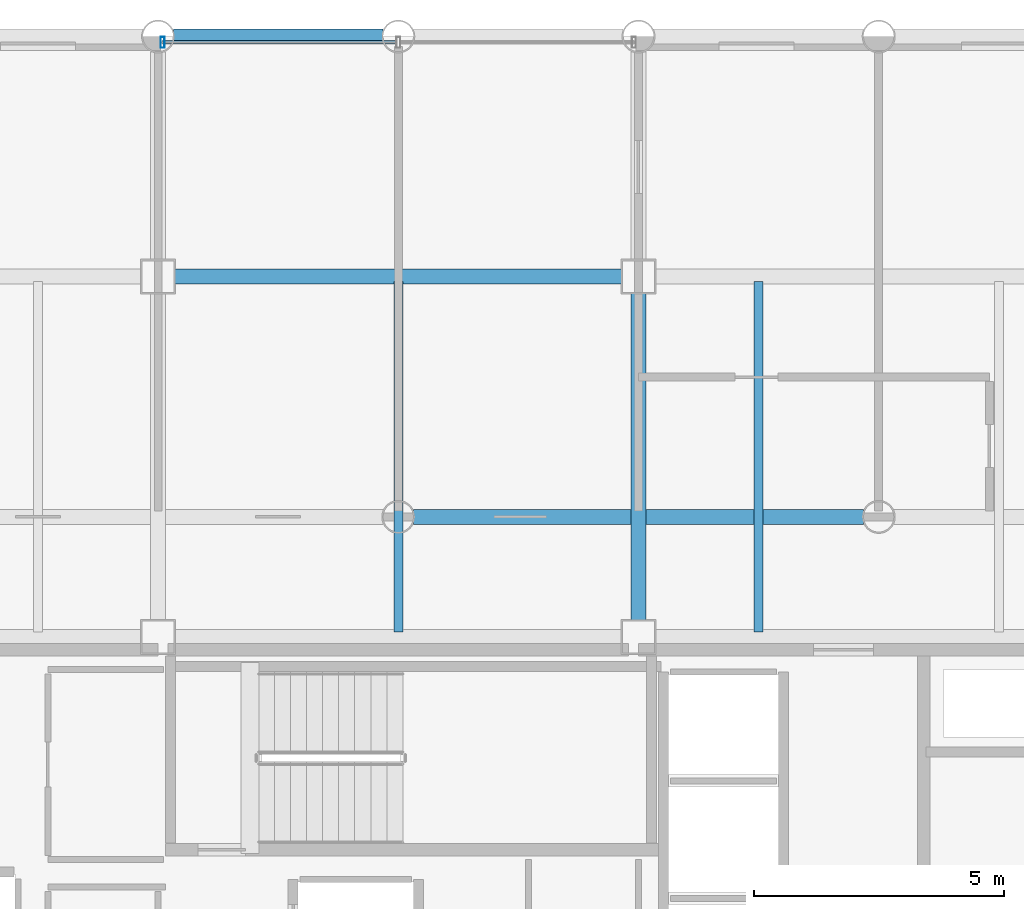
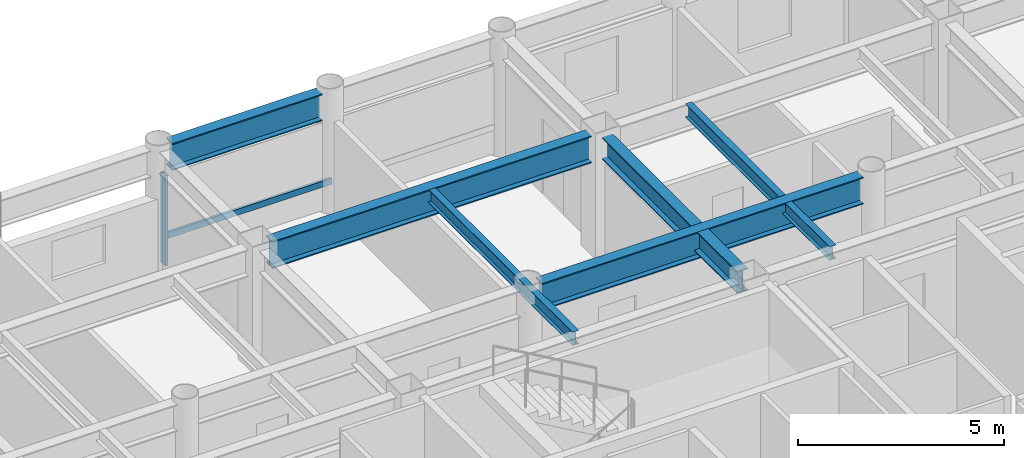
# One storey, part 11 of 20: 6 beams, 2 members, 1 element without a shape of its own.
"""IFC4 building model written with IfcOpenShell, lengths in metres."""

from ifc_helpers import new_model, si_unit, direction, frame, origin, origin_2d, place, context, subcontext, project, spatial, hollow_rectangle, i_section, extrude, material, layer, layer_set, material_profile, profile_set, type_object, element, aggregate, save


model = new_model("IFC4")

# Units and contexts
model_context = context("Model", 3, precision=1e-05, world=origin(), true_north=direction((0.0, 1.0)))
body_context = subcontext(model_context, "Body", "Model", "MODEL_VIEW")
ifc_project = project(units=[si_unit("LENGTHUNIT", "METRE"), si_unit("AREAUNIT", "SQUARE_METRE"), si_unit("VOLUMEUNIT", "CUBIC_METRE"), si_unit("PLANEANGLEUNIT", "RADIAN"), si_unit("MASSUNIT", "GRAM", prefix="KILO")], contexts=[model_context])

# Site, building, storey
site_placement = place(None, origin())
site = spatial("IfcSite", under=ifc_project, at=site_placement, CompositionType="ELEMENT")
building_placement = place(site_placement, origin())
building = spatial("IfcBuilding", under=site, at=building_placement, Name="Kallvorn Hotel Tower", CompositionType="ELEMENT")
storey_placement = place(building_placement, frame((0.0, 0.0, 158.10009765625)))
storey = spatial("IfcBuildingStorey", under=building, at=storey_placement, Name="L39", CompositionType="ELEMENT", Elevation=158.10009765625)

# Beams
ifc_material_1 = material(Name="Structural steel S355JR", Category="steel")
ifc_material_profile_1 = material_profile(ifc_material_1, i_section(OverallWidth=0.300048828125, OverallDepth=0.64990234375, WebThickness=0.01611328125, FlangeThickness=0.031005859375, at=origin_2d()), Name="HE 650 B")
ifc_profile_set_1 = profile_set([ifc_material_profile_1], Name="Structural steel S355JR")
beam_type_1 = type_object("IfcBeamType", Name="BM_HE650B", PredefinedType="BEAM", material=ifc_profile_set_1)
beam_1_placement = place(storey_placement, frame((4.800048828125, 7.52490234375, 3.19482421875), z_axis=(0.0, 1.0, 0.0), x_axis=(-1.0, 0.0, 0.0)))
element("IfcBeam", 1, at=beam_1_placement, inside=storey, type_object=beam_type_1, Name="L40 Primary Y-Girder 117", PredefinedType="BEAM", context=body_context, shape_type="SweptSolid", body=[
    extrude(i_section(OverallWidth=0.300048828125, OverallDepth=0.64990234375, WebThickness=0.01611328125, FlangeThickness=0.031005859375, at=origin_2d()), origin(), (0.0, 0.0, 1.0), 6.550048828125),
])
ifc_material_2 = material(Name="Structural steel S355JR", Category="steel")
ifc_material_profile_2 = material_profile(ifc_material_2, i_section(OverallWidth=0.300048828125, OverallDepth=0.800048828125, WebThickness=0.017578125, FlangeThickness=0.032958984375, at=origin_2d()), Name="HE 800 B")
ifc_profile_set_2 = profile_set([ifc_material_profile_2], Name="Structural steel S355JR")
beam_type_2 = type_object("IfcBeamType", Name="BM_HE800B", PredefinedType="BEAM", material=ifc_profile_set_2)
beam_2_placement = place(storey_placement, frame((0.304931640625, 9.60009765625, 3.119873046875), z_axis=(1.0, 0.0, 0.0), x_axis=(0.0, 1.0, 0.0)))
element("IfcBeam", 2, at=beam_2_placement, inside=storey, type_object=beam_type_2, Name="L40 Primary X-Girder 47", PredefinedType="BEAM", context=body_context, shape_type="SweptSolid", body=[
    extrude(i_section(OverallWidth=0.300048828125, OverallDepth=0.800048828125, WebThickness=0.017578125, FlangeThickness=0.032958984375, at=origin_2d()), origin(), (0.0, 0.0, 1.0), 8.989990234375),
])
beam_3_placement = place(storey_placement, frame((-4.47509765625, 14.39990234375, 3.119873046875), z_axis=(1.0, 0.0, 0.0), x_axis=(0.0, 1.0, 0.0)))
element("IfcBeam", 3, at=beam_3_placement, inside=storey, type_object=beam_type_2, Name="L40 Primary X-Girder 56", PredefinedType="BEAM", context=body_context, shape_type="SweptSolid", body=[
    extrude(i_section(OverallWidth=0.300048828125, OverallDepth=0.800048828125, WebThickness=0.017578125, FlangeThickness=0.032958984375, at=origin_2d()), origin(), (0.0, 0.0, 1.0), 8.9501953125),
])
beam_4_placement = place(storey_placement, frame((-4.4951171875, 19.199951171875, 3.119873046875), z_axis=(1.0, 0.0, 0.0), x_axis=(0.0, 1.0, 0.0)))
element("IfcBeam", 4, at=beam_4_placement, inside=storey, type_object=beam_type_2, Name="L40 Primary X-Girder 66", PredefinedType="BEAM", context=body_context, shape_type="SweptSolid", body=[
    extrude(i_section(OverallWidth=0.300048828125, OverallDepth=0.800048828125, WebThickness=0.017578125, FlangeThickness=0.032958984375, at=origin_2d()), origin(), (0.0, 0.0, 1.0), 4.190185546875),
])
ifc_material_3 = material(Name="Structural steel S355JR", Category="steel")
ifc_material_profile_3 = material_profile(ifc_material_3, i_section(OverallWidth=0.179931640625, OverallDepth=0.39990234375, WebThickness=0.008544921875, FlangeThickness=0.013427734375, at=origin_2d()), Name="IPE 400")
ifc_profile_set_3 = profile_set([ifc_material_profile_3], Name="Structural steel S355JR")
beam_type_3 = type_object("IfcBeamType", Name="BM_IPE400", PredefinedType="JOIST", material=ifc_profile_set_3)
for number, where, z_axis, x_axis, name in (
    (5, (0.0, 7.300048828125, 3.31982421875), (0.0, 1.0, 0.0), (-1.0, 0.0, 0.0), "L40 Secondary Composite Joist 201"),
    (6, (7.199951171875, 7.300048828125, 3.31982421875), (0.0, 1.0, 0.0), (-1.0, 0.0, 0.0), "L40 Secondary Composite Joist 203"),
):
    element("IfcBeam", number, at=place(storey_placement, frame(where, z_axis=z_axis, x_axis=x_axis)), inside=storey, type_object=beam_type_3, Name=name, PredefinedType="JOIST", context=body_context, shape_type="SweptSolid", body=[
        extrude(i_section(OverallWidth=0.179931640625, OverallDepth=0.39990234375, WebThickness=0.008544921875, FlangeThickness=0.013427734375, at=origin_2d()), origin(), (0.0, 0.0, 1.0), 7.0),
    ])

# Curtain wall, members
ifc_material_4 = material(Name="Thermally broken black-anodised aluminium AA 6063-T6", Category="aluminium")
ifc_layer = layer(ifc_material_4, 0.2099609375)
ifc_layer_set = layer_set([ifc_layer], Name="CW_SYS_4_HOTEL_MID")
curtain_wall_type = type_object("IfcCurtainWallType", Name="CW_SYS_4_HOTEL_MID", PredefinedType="USERDEFINED", material=ifc_layer_set)
curtain_wall_placement = place(storey_placement, origin())
curtain_wall = element("IfcCurtainWall", 7, at=curtain_wall_placement, inside=storey, type_object=curtain_wall_type, Name="L39 Dark-Glass Curtain Wall CW-L39-NC", ObjectType="UNITISED CURTAIN WALL", PredefinedType="USERDEFINED")
ifc_material_5 = material(Name="Thermally broken black-anodised aluminium AA 6063-T6", Category="aluminium")
ifc_material_profile_4 = material_profile(ifc_material_5, hollow_rectangle(XDim=0.080078125, YDim=0.219970703125, WallThickness=0.0048828125, at=origin_2d()), Name="MUL 220x80")
ifc_profile_set_4 = profile_set([ifc_material_profile_4], Name="Thermally broken black-anodised aluminium AA 6063-T6")
member_type_1 = type_object("IfcMemberType", Name="CW_MULLION_220x80", PredefinedType="MULLION", material=ifc_profile_set_4)
member_1_placement = place(storey_placement, frame((-4.7099609375, 19.080078125, 0.02001953125), z_axis=(0.0, 0.0, 1.0), x_axis=(1.0, 0.0, 0.0)))
member_1 = element("IfcMember", 8, at=member_1_placement, type_object=member_type_1, Name="CW-L39-NC Mullion 00", PredefinedType="MULLION", context=body_context, shape_type="SweptSolid", body=[
    extrude(hollow_rectangle(XDim=0.080078125, YDim=0.219970703125, WallThickness=0.0048828125, at=origin_2d()), origin(), (0.0, 0.0, 1.0), 2.679931640625),
])
ifc_material_6 = material(Name="Thermally broken black-anodised aluminium AA 6063-T6", Category="aluminium")
ifc_material_profile_5 = material_profile(ifc_material_6, hollow_rectangle(XDim=0.070068359375, YDim=0.179931640625, WallThickness=0.00390625, at=origin_2d()), Name="TRN 180x70")
ifc_profile_set_5 = profile_set([ifc_material_profile_5], Name="Thermally broken black-anodised aluminium AA 6063-T6")
member_type_2 = type_object("IfcMemberType", Name="CW_TRANSOM_180x70", PredefinedType="USERDEFINED", material=ifc_profile_set_5)
member_2_placement = place(storey_placement, frame((-4.7099609375, 19.080078125, 0.849853515625), z_axis=(1.0, 0.0, 0.0), x_axis=(0.0, 1.0, 0.0)))
member_2 = element("IfcMember", 9, at=member_2_placement, type_object=member_type_2, Name="CW-L39-NC Transom 00M", ObjectType="TRANSOM", PredefinedType="USERDEFINED", context=body_context, shape_type="SweptSolid", body=[
    extrude(hollow_rectangle(XDim=0.070068359375, YDim=0.179931640625, WallThickness=0.00390625, at=origin_2d()), origin(), (0.0, 0.0, 1.0), 4.669921875),
])
aggregate(curtain_wall, [member_1, member_2])

save(model, "model.ifc")
